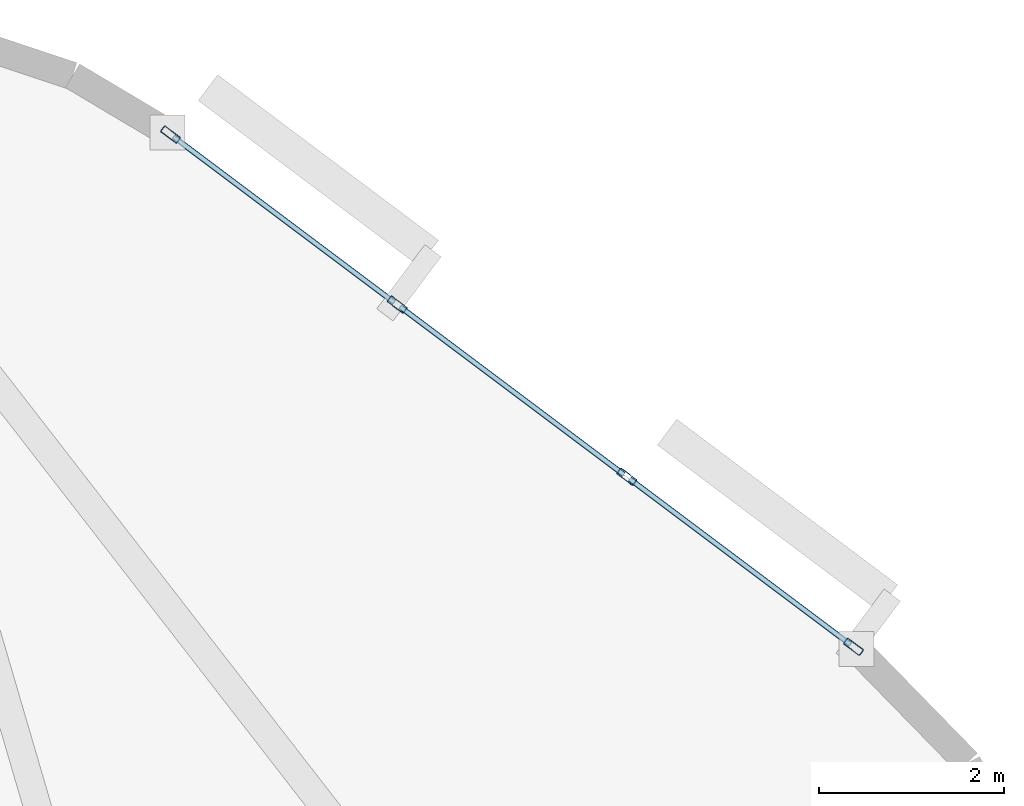
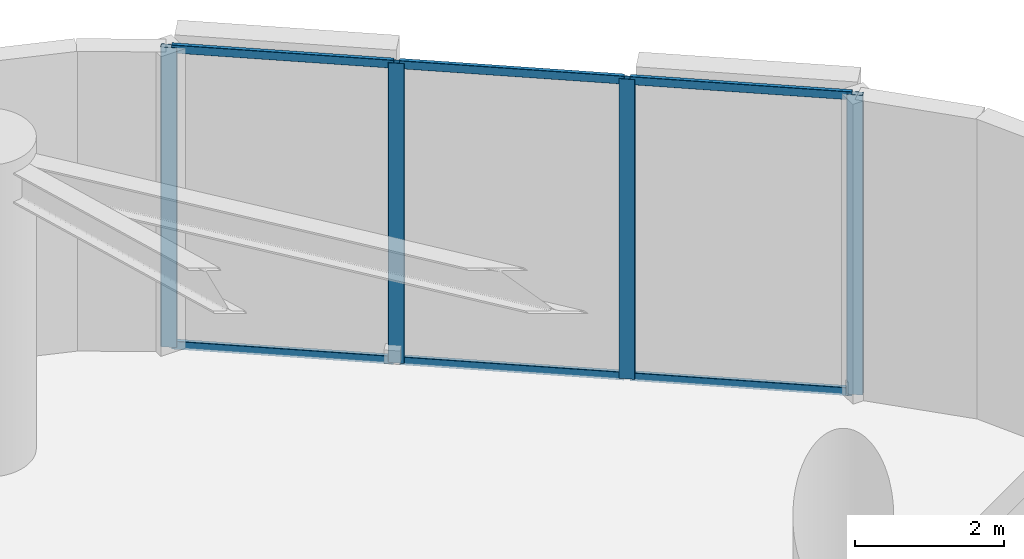
# One storey, part 8 of 14: 10 members, 1 element without a shape of its own.
"""IFC4 building model written with IfcOpenShell, lengths in metres."""

from ifc_helpers import new_model, si_unit, direction, frame, origin, origin_2d, place, context, subcontext, project, spatial, hollow_rectangle, extrude, material, layer, layer_set, material_profile, profile_set, type_object, element, aggregate, save


model = new_model("IFC4")

# Units and contexts
model_context = context("Model", 3, precision=1e-05, world=origin(), true_north=direction((0.0, 1.0)))
body_context = subcontext(model_context, "Body", "Model", "MODEL_VIEW")
ifc_project = project(units=[si_unit("LENGTHUNIT", "METRE"), si_unit("AREAUNIT", "SQUARE_METRE"), si_unit("VOLUMEUNIT", "CUBIC_METRE"), si_unit("PLANEANGLEUNIT", "RADIAN"), si_unit("MASSUNIT", "GRAM", prefix="KILO")], contexts=[model_context])

# Site, building, storey
site_placement = place(None, origin())
site = spatial("IfcSite", under=ifc_project, at=site_placement, CompositionType="ELEMENT")
building_placement = place(site_placement, origin())
building = spatial("IfcBuilding", under=site, at=building_placement, Name="An Khanh Terracotta Commons", CompositionType="ELEMENT")
storey_placement = place(building_placement, frame((0.0, 0.0, 81.199951171875)))
storey = spatial("IfcBuildingStorey", under=building, at=storey_placement, Name="L21", CompositionType="ELEMENT", Elevation=81.199951171875)

# Curtain wall, members
ifc_material = material(Name="Anodised Aluminium 6063-T6", Category="aluminium")
ifc_layer = layer(ifc_material, 0.239990234375, Name="Anodised Aluminium 6063-T6")
ifc_layer_set = layer_set([ifc_layer], Name="Anodised Aluminium 6063-T6")
curtain_wall_type = type_object("IfcCurtainWallType", Name="CW-SYS-04", PredefinedType="USERDEFINED", material=ifc_layer_set)
curtain_wall_placement = place(storey_placement, origin())
curtain_wall = element("IfcCurtainWall", 1, at=curtain_wall_placement, inside=storey, type_object=curtain_wall_type, Name="L21 CW-04 Unitised Curtain Wall CW-L21-16", ObjectType="UNITISED CURTAIN WALL", PredefinedType="USERDEFINED")
ifc_material_profile_1 = material_profile(ifc_material, hollow_rectangle(XDim=0.080078125, YDim=0.219970703125, WallThickness=0.0048828125, InnerFilletRadius=0.0048828125, OuterFilletRadius=0.010009765625, at=origin_2d()), Name="RHS220x80x5")
ifc_profile_set_1 = profile_set([ifc_material_profile_1], Name="Anodised Aluminium 6063-T6")
member_type_1 = type_object("IfcMemberType", Name="CWM-RHS220x80x5", PredefinedType="MULLION", material=ifc_profile_set_1)
member_1_placement = place(storey_placement, frame((55.1279296875, 37.10400390625, 0.0), z_axis=(0.0, 0.0, 1.0), x_axis=(-0.599982857492, -0.800012856594, 0.0)))
member_1 = element("IfcMember", 2, at=member_1_placement, type_object=member_type_1, Name="CW-04 mullion 1", PredefinedType="MULLION", context=body_context, shape_type="SweptSolid", body=[
    extrude(hollow_rectangle(XDim=0.080078125, YDim=0.219970703125, WallThickness=0.0048828125, InnerFilletRadius=0.0048828125, OuterFilletRadius=0.010009765625, at=origin_2d()), origin(), (0.0, 0.0, 1.0), 4.900146484375),
])
member_2_placement = place(storey_placement, frame((52.6708984375, 38.94677734375, 0.0), z_axis=(0.0, 0.0, 1.0), x_axis=(-0.599982857492, -0.800012856594, 0.0)))
member_2 = element("IfcMember", 3, at=member_2_placement, type_object=member_type_1, Name="CW-04 mullion 2", PredefinedType="MULLION", context=body_context, shape_type="SweptSolid", body=[
    extrude(hollow_rectangle(XDim=0.080078125, YDim=0.219970703125, WallThickness=0.0048828125, InnerFilletRadius=0.0048828125, OuterFilletRadius=0.010009765625, at=origin_2d()), origin(), (0.0, 0.0, 1.0), 4.900146484375),
])
member_3_placement = place(storey_placement, frame((50.181884765625, 40.813232421875, 0.0), z_axis=(0.0, 0.0, 1.0), x_axis=(-0.599982857492, -0.800012856594, 0.0)))
member_3 = element("IfcMember", 4, at=member_3_placement, type_object=member_type_1, Name="CW-04 mullion 3", PredefinedType="MULLION", context=body_context, shape_type="SweptSolid", body=[
    extrude(hollow_rectangle(XDim=0.080078125, YDim=0.219970703125, WallThickness=0.0048828125, InnerFilletRadius=0.0048828125, OuterFilletRadius=0.010009765625, at=origin_2d()), origin(), (0.0, 0.0, 1.0), 4.900146484375),
])
member_4_placement = place(storey_placement, frame((47.72509765625, 42.656005859375, 0.0), z_axis=(0.0, 0.0, 1.0), x_axis=(-0.599982857492, -0.800012856594, 0.0)))
member_4 = element("IfcMember", 5, at=member_4_placement, type_object=member_type_1, Name="CW-04 mullion 4", PredefinedType="MULLION", context=body_context, shape_type="SweptSolid", body=[
    extrude(hollow_rectangle(XDim=0.080078125, YDim=0.219970703125, WallThickness=0.0048828125, InnerFilletRadius=0.0048828125, OuterFilletRadius=0.010009765625, at=origin_2d()), origin(), (0.0, 0.0, 1.0), 4.900146484375),
])
ifc_material_profile_2 = material_profile(ifc_material, hollow_rectangle(XDim=0.06005859375, YDim=0.135009765625, WallThickness=0.003662109375, InnerFilletRadius=0.003662109375, OuterFilletRadius=0.007080078125, at=origin_2d()), Name="RHS135x60x3.6")
ifc_profile_set_2 = profile_set([ifc_material_profile_2], Name="Anodised Aluminium 6063-T6")
member_type_2 = type_object("IfcMemberType", Name="CWT-RHS135x60x3.6", PredefinedType="USERDEFINED", material=ifc_profile_set_2)
member_5_placement = place(storey_placement, frame((55.095947265625, 37.1279296875, 0.030029296875), z_axis=(-0.800019587892, 0.599973881922, 0.0), x_axis=(-0.599973881922, -0.800019587892, 0.0)))
member_5 = element("IfcMember", 6, at=member_5_placement, type_object=member_type_2, Name="CW-04 transom 1.1", ObjectType="TRANSOM", PredefinedType="USERDEFINED", context=body_context, shape_type="SweptSolid", body=[
    extrude(hollow_rectangle(XDim=0.06005859375, YDim=0.135009765625, WallThickness=0.003662109375, InnerFilletRadius=0.003662109375, OuterFilletRadius=0.007080078125, at=origin_2d()), origin(), (0.0, 0.0, 1.0), 2.9912109375),
])
member_6_placement = place(storey_placement, frame((55.095947265625, 37.1279296875, 4.8701171875), z_axis=(-0.800019587892, 0.599973881922, 0.0), x_axis=(-0.599973881922, -0.800019587892, 0.0)))
member_6 = element("IfcMember", 7, at=member_6_placement, type_object=member_type_2, Name="CW-04 transom 1.2", ObjectType="TRANSOM", PredefinedType="USERDEFINED", context=body_context, shape_type="SweptSolid", body=[
    extrude(hollow_rectangle(XDim=0.06005859375, YDim=0.135009765625, WallThickness=0.003662109375, InnerFilletRadius=0.003662109375, OuterFilletRadius=0.007080078125, at=origin_2d()), origin(), (0.0, 0.0, 1.0), 2.9912109375),
])
member_7_placement = place(storey_placement, frame((52.638916015625, 38.970703125, 0.030029296875), z_axis=(-0.8, 0.6, 0.0), x_axis=(-0.6, -0.8, 0.0)))
member_7 = element("IfcMember", 8, at=member_7_placement, type_object=member_type_2, Name="CW-04 transom 2.1", ObjectType="TRANSOM", PredefinedType="USERDEFINED", context=body_context, shape_type="SweptSolid", body=[
    extrude(hollow_rectangle(XDim=0.06005859375, YDim=0.135009765625, WallThickness=0.003662109375, InnerFilletRadius=0.003662109375, OuterFilletRadius=0.007080078125, at=origin_2d()), origin(), (0.0, 0.0, 1.0), 3.031005859375),
])
member_8_placement = place(storey_placement, frame((52.638916015625, 38.970703125, 4.8701171875), z_axis=(-0.8, 0.6, 0.0), x_axis=(-0.6, -0.8, 0.0)))
member_8 = element("IfcMember", 9, at=member_8_placement, type_object=member_type_2, Name="CW-04 transom 2.2", ObjectType="TRANSOM", PredefinedType="USERDEFINED", context=body_context, shape_type="SweptSolid", body=[
    extrude(hollow_rectangle(XDim=0.06005859375, YDim=0.135009765625, WallThickness=0.003662109375, InnerFilletRadius=0.003662109375, OuterFilletRadius=0.007080078125, at=origin_2d()), origin(), (0.0, 0.0, 1.0), 3.031005859375),
])
member_9_placement = place(storey_placement, frame((50.14990234375, 40.83740234375, 0.030029296875), z_axis=(-0.799990205094, 0.600013059652, 0.0), x_axis=(-0.600013059652, -0.799990205094, 0.0)))
member_9 = element("IfcMember", 10, at=member_9_placement, type_object=member_type_2, Name="CW-04 transom 3.1", ObjectType="TRANSOM", PredefinedType="USERDEFINED", context=body_context, shape_type="SweptSolid", body=[
    extrude(hollow_rectangle(XDim=0.06005859375, YDim=0.135009765625, WallThickness=0.003662109375, InnerFilletRadius=0.003662109375, OuterFilletRadius=0.007080078125, at=origin_2d()), origin(), (0.0, 0.0, 1.0), 2.990966796875),
])
member_10_placement = place(storey_placement, frame((50.14990234375, 40.83740234375, 4.8701171875), z_axis=(-0.799990205094, 0.600013059652, 0.0), x_axis=(-0.600013059652, -0.799990205094, 0.0)))
member_10 = element("IfcMember", 11, at=member_10_placement, type_object=member_type_2, Name="CW-04 transom 3.2", ObjectType="TRANSOM", PredefinedType="USERDEFINED", context=body_context, shape_type="SweptSolid", body=[
    extrude(hollow_rectangle(XDim=0.06005859375, YDim=0.135009765625, WallThickness=0.003662109375, InnerFilletRadius=0.003662109375, OuterFilletRadius=0.007080078125, at=origin_2d()), origin(), (0.0, 0.0, 1.0), 2.990966796875),
])
aggregate(curtain_wall, [member_1, member_2, member_3, member_4, member_5, member_6, member_7, member_8, member_9, member_10])

save(model, "model.ifc")
